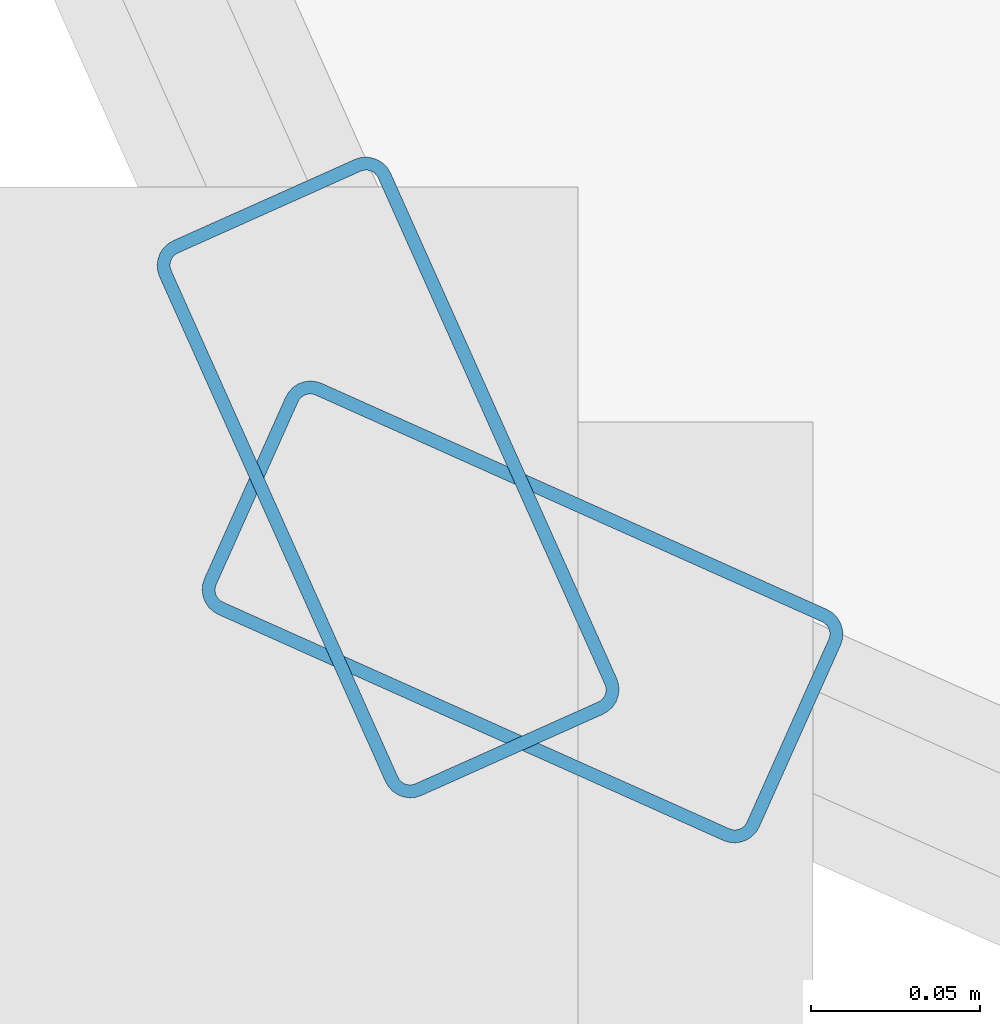
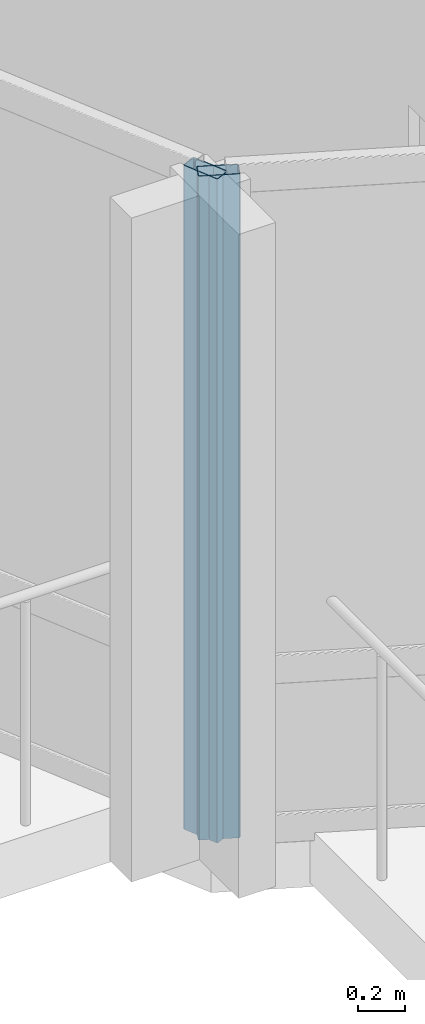
# One storey, part 2 of 19: 2 members, 2 elements without a shape of their own.
"""IFC4 building model written with IfcOpenShell, lengths in metres."""

import ifcopenshell
import ifcopenshell.guid

model = None  # the IFC model being written
_history = None  # IfcOwnerHistory: only IFC2X3 demands one
_inside = {}  # id of a spatial element -> (the spatial element, [elements in it])
_under = {}  # id of a project, library or spatial element -> (it, [spatial elements below it])
_declared = {}  # id of a project -> (the project, [libraries it declares])
_typed = {}  # id of a type object -> (the type object, [elements of that type])
_made_of = {}  # id of a material, layer set ... -> (it, [elements and type objects made of it])


def new_model(schema):
    """Start an empty IFC model of exactly this schema.

    Asked for "IFC4X3", IfcOpenShell would pick the latest addendum, in which some entities
    have other attributes; the version numbers below select the first issue.
    IFC2X3 requires an IfcOwnerHistory on every rooted entity: one is made here for all.
    """
    global model, _history
    if schema == "IFC4X3":
        model = ifcopenshell.file(schema_version=(4, 3, 0, 0))
    else:
        model = ifcopenshell.file(schema=schema)
    _inside.clear()
    _under.clear()
    _declared.clear()
    _typed.clear()
    _made_of.clear()
    _history = None
    if model.schema == "IFC2X3":
        org = make("IfcOrganization", Name="unknown")
        user = make(
            "IfcPersonAndOrganization",
            ThePerson=make("IfcPerson", FamilyName="unknown"),
            TheOrganization=org,
        )
        app = make(
            "IfcApplication",
            ApplicationDeveloper=org,
            Version="unknown",
            ApplicationFullName="unknown",
            ApplicationIdentifier="unknown",
        )
        _history = make(
            "IfcOwnerHistory",
            OwningUser=user,
            OwningApplication=app,
            ChangeAction="ADDED",
            CreationDate=0,
        )
    return model


def make(cls, **values):
    """One entity of the class cls with the attributes given. An attribute that is None is left unset."""
    return model.create_entity(
        cls, **{name: value for name, value in values.items() if value is not None}
    )


def rooted(cls, **values):
    """An entity with a GlobalId (a new one), such as an element, a storey or a relation."""
    return make(cls, GlobalId=ifcopenshell.guid.new(), OwnerHistory=_history, **values)


def si_unit(unit_type, name, prefix=None):
    """IfcSIUnit, for example si_unit("LENGTHUNIT", "METRE", prefix="MILLI")."""
    return make("IfcSIUnit", UnitType=unit_type, Prefix=prefix, Name=name)


def assignment(units):
    """IfcUnitAssignment: the units of a project."""
    return None if units is None else make("IfcUnitAssignment", Units=units)


def point(xyz):
    """IfcCartesianPoint."""
    return None if xyz is None else make("IfcCartesianPoint", Coordinates=xyz)


def direction(xyz):
    """IfcDirection."""
    return None if xyz is None else make("IfcDirection", DirectionRatios=xyz)


def frame(location, z_axis=None, x_axis=None):
    """IfcAxis2Placement3D, a coordinate frame: its origin and axes. An axis left out is left unset."""
    return make(
        "IfcAxis2Placement3D",
        Location=point(location),
        Axis=direction(z_axis),
        RefDirection=direction(x_axis),
    )


def frame_2d(location, x_axis=None):
    """IfcAxis2Placement2D, a coordinate frame in the plane: its origin and x axis."""
    return make(
        "IfcAxis2Placement2D", Location=point(location), RefDirection=direction(x_axis)
    )


def origin():
    """The frame at (0, 0, 0) with its axes left unset."""
    return frame((0.0, 0.0, 0.0))


def origin_2d():
    """The frame at (0, 0) in the plane with its x axis left unset."""
    return frame_2d((0.0, 0.0))


def place(relative_to, where):
    """IfcLocalPlacement: puts the frame where relative to a parent placement (None: the world)."""
    return make(
        "IfcLocalPlacement", PlacementRelTo=relative_to, RelativePlacement=where
    )


def context(
    kind, dimensions, precision=None, world=None, true_north=None, identifier=None
):
    """IfcGeometricRepresentationContext, for example the 3D "Model" context."""
    return make(
        "IfcGeometricRepresentationContext",
        ContextIdentifier=identifier,
        ContextType=kind,
        CoordinateSpaceDimension=dimensions,
        Precision=precision,
        WorldCoordinateSystem=world,
        TrueNorth=true_north,
    )


def subcontext(parent, identifier, kind, view, scale=None):
    """IfcGeometricRepresentationSubContext, for example "Body" below "Model"."""
    return make(
        "IfcGeometricRepresentationSubContext",
        ContextIdentifier=identifier,
        ContextType=kind,
        ParentContext=parent,
        TargetScale=scale,
        TargetView=view,
    )


def project(units=None, contexts=None):
    """IfcProject with its units and contexts."""
    return rooted(
        "IfcProject",
        Name="project",
        RepresentationContexts=contexts,
        UnitsInContext=assignment(units),
    )


def spatial(cls, under=None, at=None, **own):
    """A site, building, storey or space (cls), placed at a placement, below another one or the project."""
    s = rooted(cls, ObjectPlacement=at, **own)
    if under is not None:
        _under.setdefault(under.id(), (under, []))[1].append(s)
    return s


def profile(cls, at=None, kind="AREA", **sizes):
    """A parametric profile (cls). Its sizes go by their IFC names, for example OverallWidth=200.0."""
    return make(cls, ProfileType=kind, Position=at, **sizes)


def hollow_rectangle(**sizes):
    """IfcRectangleHollowProfileDef."""
    return profile("IfcRectangleHollowProfileDef", **sizes)


def extrude(swept, where, along, depth):
    """IfcExtrudedAreaSolid: the profile swept, set in the frame where, extruded along a direction by depth."""
    return make(
        "IfcExtrudedAreaSolid",
        SweptArea=swept,
        Position=where,
        ExtrudedDirection=direction(along),
        Depth=depth,
    )


def shape(context_of_items, identifier, shape_type, items):
    """IfcShapeRepresentation: the items that make up one representation, for example the "Body"."""
    return make(
        "IfcShapeRepresentation",
        ContextOfItems=context_of_items,
        RepresentationIdentifier=identifier,
        RepresentationType=shape_type,
        Items=items,
    )


def material(Name=None, Category=None):
    """IfcMaterial."""
    return make("IfcMaterial", Name=Name, Category=Category)


def layer(
    of_material, thickness, ventilated=None, Name=None, Category=None, Priority=None
):
    """IfcMaterialLayer: one layer of a wall or slab, of a material (None: an air gap)."""
    return make(
        "IfcMaterialLayer",
        Material=of_material,
        LayerThickness=thickness,
        IsVentilated=ventilated,
        Name=Name,
        Category=Category,
        Priority=Priority,
    )


def layer_set(layers, Name=None):
    """IfcMaterialLayerSet."""
    return make("IfcMaterialLayerSet", MaterialLayers=layers, LayerSetName=Name)


def material_profile(
    of_material, cross_section, Name=None, Category=None, Priority=None
):
    """IfcMaterialProfile: a cross section and its material."""
    return make(
        "IfcMaterialProfile",
        Name=Name,
        Material=of_material,
        Profile=cross_section,
        Priority=Priority,
        Category=Category,
    )


def profile_set(profiles, Name=None, composite=None):
    """IfcMaterialProfileSet."""
    return make(
        "IfcMaterialProfileSet",
        Name=Name,
        MaterialProfiles=profiles,
        CompositeProfile=composite,
    )


def made_of(thing, what):
    """Note that an element or type object is made of a material, layer set ...; save() writes the relation."""
    if what is not None:
        _made_of.setdefault(what.id(), (what, []))[1].append(thing)
    return thing


def type_object(cls, material=None, **own):
    """A type object (cls), such as IfcWallType, which elements share."""
    return made_of(rooted(cls, **own), material)


def element(
    cls,
    number,
    at=None,
    inside=None,
    cuts=None,
    type_object=None,
    material=None,
    context=None,
    identifier="Body",
    shape_type=None,
    held_by="IfcProductDefinitionShape",
    body=None,
    shapes=None,
    **own,
):
    """One element of the class cls, such as IfcWall. Its Tag is "e" and its number.

    at: its placement. inside: the storey or other place that contains it. cuts: it is an
    opening in that element (IfcRelVoidsElement). A single representation is given by context,
    identifier, shape_type and body (its items); several are given by shapes. held_by: the class
    of the entity that holds the representations. save() writes the other relations.
    """
    e = rooted(cls, Tag="e%d" % number, ObjectPlacement=at, **own)
    if body is not None:
        shapes = [shape(context, identifier, shape_type, body)]
    if shapes is not None:
        e.Representation = make(held_by, Representations=shapes)
    if inside is not None:
        _inside.setdefault(inside.id(), (inside, []))[1].append(e)
    if cuts is not None:
        rooted(
            "IfcRelVoidsElement", RelatingBuildingElement=cuts, RelatedOpeningElement=e
        )
    if type_object is not None:
        _typed.setdefault(type_object.id(), (type_object, []))[1].append(e)
    return made_of(e, material)


def aggregate(whole, parts):
    """IfcRelAggregates: a whole, such as a stair, and the parts it consists of."""
    return rooted("IfcRelAggregates", RelatingObject=whole, RelatedObjects=parts)


def save(model, path):
    """Write the relations noted so far, then the file.

    IfcRelAggregates (storeys below a building ...), IfcRelContainedInSpatialStructure (elements
    in a storey), IfcRelDefinesByType, IfcRelAssociatesMaterial and IfcRelDeclares: one each for
    every whole, place, type object, material and project.
    """
    for whole, parts in _under.values():
        aggregate(whole, parts)
    for where, things in _inside.values():
        rooted(
            "IfcRelContainedInSpatialStructure",
            RelatedElements=things,
            RelatingStructure=where,
        )
    for kind, things in _typed.values():
        rooted("IfcRelDefinesByType", RelatedObjects=things, RelatingType=kind)
    for what, things in _made_of.values():
        rooted("IfcRelAssociatesMaterial", RelatedObjects=things, RelatingMaterial=what)
    for by, libraries in _declared.values():
        rooted("IfcRelDeclares", RelatingContext=by, RelatedDefinitions=libraries)
    model.write(path)


model = new_model("IFC4")

# Units and contexts
model_context = context("Model", 3, precision=1e-05, world=origin(), true_north=direction((0.0, 1.0)))
body_context = subcontext(model_context, "Body", "Model", "MODEL_VIEW")
ifc_project = project(units=[si_unit("LENGTHUNIT", "METRE"), si_unit("AREAUNIT", "SQUARE_METRE"), si_unit("VOLUMEUNIT", "CUBIC_METRE"), si_unit("PLANEANGLEUNIT", "RADIAN"), si_unit("MASSUNIT", "GRAM", prefix="KILO")], contexts=[model_context])

# Site, building, storey
site_placement = place(None, origin())
site = spatial("IfcSite", under=ifc_project, at=site_placement, CompositionType="ELEMENT")
building_placement = place(site_placement, origin())
building = spatial("IfcBuilding", under=site, at=building_placement, Name="Solvaryn Broadcast Tower", CompositionType="ELEMENT")
storey_placement = place(building_placement, frame((0.0, 0.0, 277.800048828125)))
storey = spatial("IfcBuildingStorey", under=building, at=storey_placement, Name="L70", CompositionType="ELEMENT", Elevation=277.800048828125)

# Curtain wall, member
ifc_material_1 = material(Name="Aluminium and Terracotta Unitised Curtain Wall", Category="masonry")
ifc_layer_1 = layer(ifc_material_1, 0.239990234375)
ifc_layer_set_1 = layer_set([ifc_layer_1], Name="CW-SYS3-BAYBOX")
curtain_wall_type_1 = type_object("IfcCurtainWallType", Name="CW-SYS3-BAYBOX", PredefinedType="NOTDEFINED", material=ifc_layer_set_1)
curtain_wall_1_placement = place(storey_placement, origin())
curtain_wall_1 = element("IfcCurtainWall", 1, at=curtain_wall_1_placement, inside=storey, type_object=curtain_wall_type_1, Name="L70 Curtain Wall DR2", PredefinedType="NOTDEFINED")
ifc_material_2 = material(Name="Anodised Aluminium 6063-T6", Category="aluminium")
ifc_material_profile = material_profile(ifc_material_2, hollow_rectangle(XDim=0.074951171875, YDim=0.179931640625, WallThickness=0.00390625, InnerFilletRadius=0.00390625, OuterFilletRadius=0.008056640625, at=origin_2d()))
ifc_profile_set = profile_set([ifc_material_profile], Name="Anodised Aluminium 6063-T6")
member_type = type_object("IfcMemberType", Name="CW-MUL-180", PredefinedType="MULLION", material=ifc_profile_set)
member_1_placement = place(storey_placement, frame((10.8046875, 10.844482421875, 0.0), z_axis=(0.0, 0.0, 1.0), x_axis=(0.912773530574, 0.408466010682, 0.0)))
member_1 = element("IfcMember", 2, at=member_1_placement, type_object=member_type, Name="CWS3 mullion 2", PredefinedType="MULLION", context=body_context, shape_type="SweptSolid", body=[
    extrude(hollow_rectangle(XDim=0.074951171875, YDim=0.179931640625, WallThickness=0.00390625, InnerFilletRadius=0.00390625, OuterFilletRadius=0.008056640625, at=origin_2d()), origin(), (0.0, 0.0, 1.0), 3.419921875),
])
aggregate(curtain_wall_1, [member_1])

ifc_material_3 = material(Name="Aluminium and Terracotta Unitised Curtain Wall", Category="masonry")
ifc_layer_2 = layer(ifc_material_3, 0.199951171875)
ifc_layer_set_2 = layer_set([ifc_layer_2], Name="CW-SYS2-LOWMID")
curtain_wall_type_2 = type_object("IfcCurtainWallType", Name="CW-SYS2-LOWMID", PredefinedType="NOTDEFINED", material=ifc_layer_set_2)
curtain_wall_2_placement = place(storey_placement, origin())
curtain_wall_2 = element("IfcCurtainWall", 3, at=curtain_wall_2_placement, inside=storey, type_object=curtain_wall_type_2, Name="L70 Curtain Wall DR3", PredefinedType="NOTDEFINED")
member_2_placement = place(storey_placement, frame((10.844482421875, 10.8046875, 0.0), z_axis=(0.0, 0.0, 1.0), x_axis=(0.408466010682, 0.912773530574, 0.0)))
member_2 = element("IfcMember", 4, at=member_2_placement, type_object=member_type, Name="CWS2 mullion 1", PredefinedType="MULLION", context=body_context, shape_type="SweptSolid", body=[
    extrude(hollow_rectangle(XDim=0.074951171875, YDim=0.179931640625, WallThickness=0.00390625, InnerFilletRadius=0.00390625, OuterFilletRadius=0.008056640625, at=origin_2d()), origin(), (0.0, 0.0, 1.0), 3.419921875),
])
aggregate(curtain_wall_2, [member_2])

save(model, "model.ifc")
